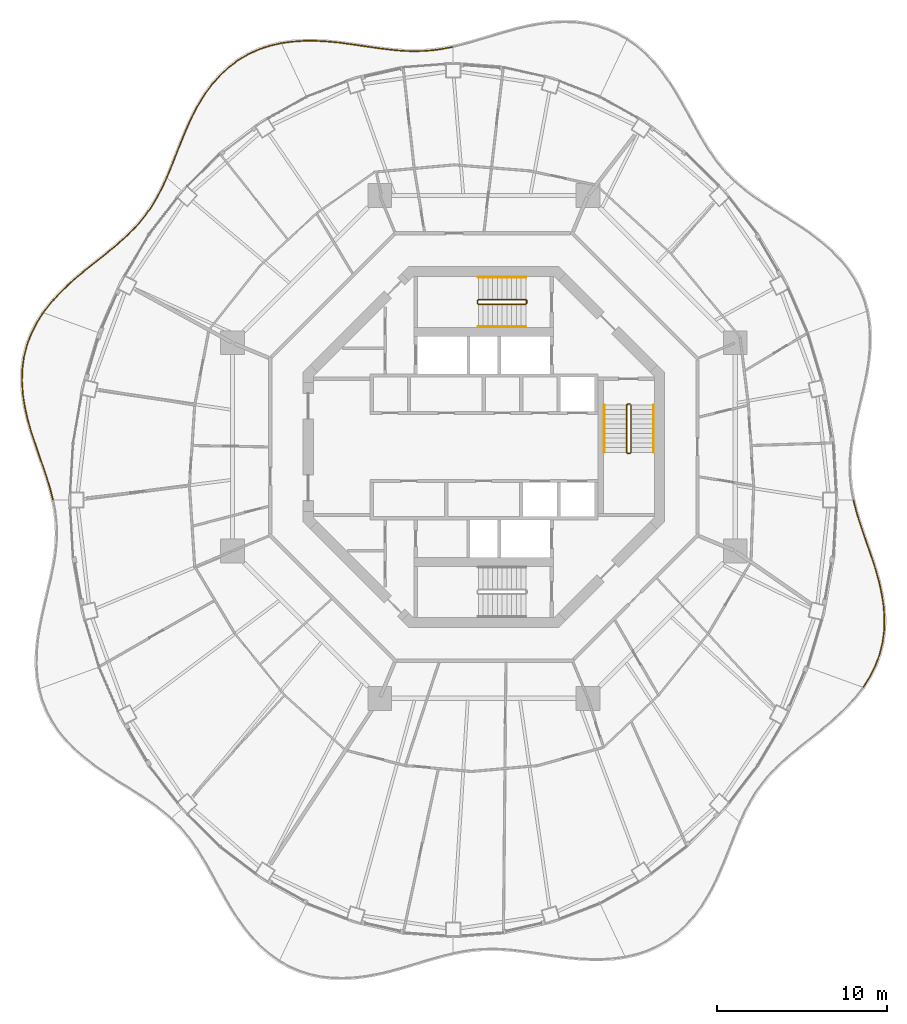
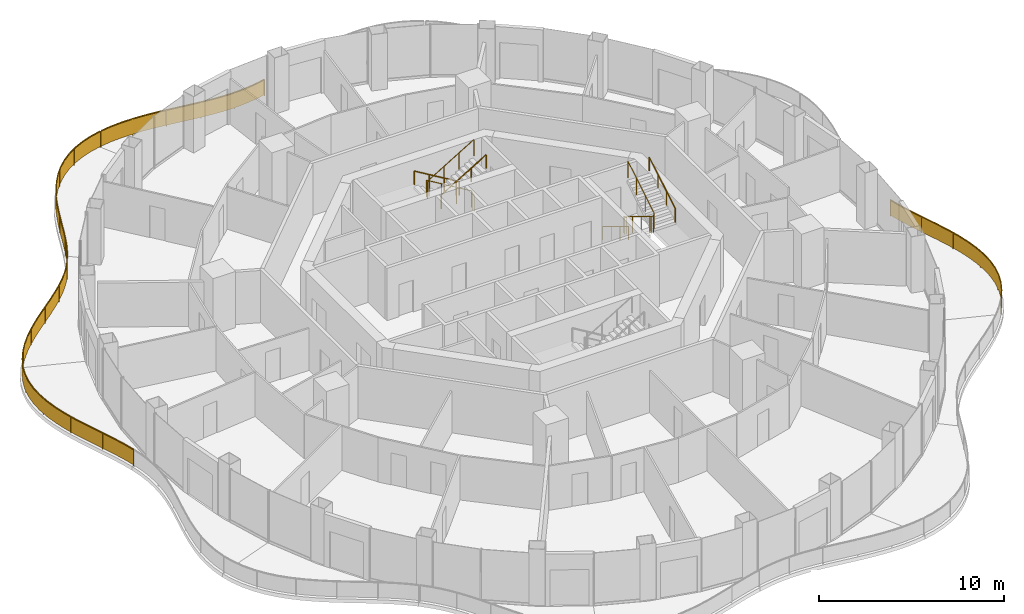
# One storey, part 16 of 17: 11 railings.
"""IFC4 building model written with IfcOpenShell, lengths in metres."""

from ifc_helpers import new_model, si_unit, direction, frame, origin, origin_2d, place, context, subcontext, project, spatial, polyline, rectangle, circle, outline, extrude, material, type_object, element, save


model = new_model("IFC4")

# Units and contexts
model_context = context("Model", 3, precision=1e-05, world=origin(), true_north=direction((0.0, 1.0)))
body_context = subcontext(model_context, "Body", "Model", "MODEL_VIEW")
ifc_project = project(units=[si_unit("LENGTHUNIT", "METRE"), si_unit("AREAUNIT", "SQUARE_METRE"), si_unit("VOLUMEUNIT", "CUBIC_METRE"), si_unit("PLANEANGLEUNIT", "RADIAN"), si_unit("MASSUNIT", "GRAM", prefix="KILO")], contexts=[model_context])

# Site, building, storey
site_placement = place(None, origin())
site = spatial("IfcSite", under=ifc_project, at=site_placement, CompositionType="ELEMENT")
building_placement = place(site_placement, origin())
building = spatial("IfcBuilding", under=site, at=building_placement, Name="Nagisa Residences", CompositionType="ELEMENT")
storey_placement = place(building_placement, frame((0.0, 0.0, 265.89990234375)))
storey = spatial("IfcBuildingStorey", under=building, at=storey_placement, Name="L67", CompositionType="ELEMENT", Elevation=265.89990234375)

# Railings
ifc_material_1 = material(Name="Stainless steel 316", Category="steel")
railing_type_1 = type_object("IfcRailingType", Name="BALCONY GUARD 1100", PredefinedType="BALUSTRADE", material=ifc_material_1)
railing_1_placement = place(storey_placement, frame((-1.834716796875, 23.520263671875, 0.0)))
element("IfcRailing", 1, at=railing_1_placement, inside=storey, type_object=railing_type_1, Name="guard:L67:bal04-0", PredefinedType="BALUSTRADE", context=body_context, shape_type="SweptSolid", body=[
    extrude(outline(polyline([(-0.537109375, -0.1318359375), (0.0048828125, -0.024658203125), (-0.0048828125, 0.024658203125), (-0.54541015625, -0.08251953125), (-1.125244140625, -0.1650390625), (-1.705078125, -0.213134765625), (-2.2890625, -0.226806640625), (-2.88037109375, -0.20849609375), (-3.465087890625, -0.15869140625), (-4.080322265625, -0.088134765625), (-4.710693359375, -0.00146484375), (-5.355712890625, 0.09375), (-6.015380859375, 0.188720703125), (-6.670654296875, 0.278564453125), (-7.3525390625, 0.34423828125), (-8.0400390625, 0.381103515625), (-8.728271484375, 0.381591796875), (-9.411865234375, 0.337158203125), (-10.037353515625, 0.250732421875), (-10.030517578125, 0.200927734375), (-9.406982421875, 0.287353515625), (-8.726806640625, 0.331298828125), (-8.04150390625, 0.331298828125), (-7.3564453125, 0.29443359375), (-6.676513671875, 0.228759765625), (-6.022216796875, 0.138916015625), (-5.363037109375, 0.04443359375), (-4.717529296875, -0.05078125), (-4.086669921875, -0.137939453125), (-3.469970703125, -0.20849609375), (-2.88330078125, -0.25830078125), (-2.2890625, -0.277099609375), (-1.70263671875, -0.262939453125), (-1.119873046875, -0.21484375), (-0.537109375, -0.1318359375)])), frame((0.0, 0.0, 1.050048828125)), (0.0, 0.0, 1.0), 0.050048828125),
    extrude(outline(polyline([(-0.5400390625, -0.114013671875), (0.00146484375, -0.0068359375), (-0.00146484375, 0.0068359375), (-0.54248046875, -0.100341796875), (-1.123291015625, -0.182861328125), (-1.704345703125, -0.23095703125), (-2.2890625, -0.244873046875), (-2.88134765625, -0.226318359375), (-3.466796875, -0.176513671875), (-4.08251953125, -0.106201171875), (-4.713134765625, -0.019287109375), (-5.3583984375, 0.075927734375), (-6.017822265625, 0.170654296875), (-6.6728515625, 0.260498046875), (-7.35400390625, 0.326416015625), (-8.04052734375, 0.36328125), (-8.727783203125, 0.363525390625), (-9.41015625, 0.3193359375), (-10.034912109375, 0.232666015625), (-10.032958984375, 0.218994140625), (-9.40869140625, 0.30517578125), (-8.727294921875, 0.349365234375), (-8.041015625, 0.34912109375), (-7.35498046875, 0.312255859375), (-6.67431640625, 0.246826171875), (-6.019775390625, 0.156982421875), (-5.3603515625, 0.062255859375), (-4.715087890625, -0.032958984375), (-4.08447265625, -0.119873046875), (-3.46826171875, -0.190673828125), (-2.88232421875, -0.240478515625), (-2.2890625, -0.259033203125), (-1.703369140625, -0.2451171875), (-1.121826171875, -0.197021484375), (-0.5400390625, -0.114013671875)])), frame((0.0, 0.0, 0.06005859375)), (0.0, 0.0, 1.0), 0.989990234375),
    extrude(rectangle(XDim=0.0400390625, YDim=0.0400390625, at=origin_2d()), origin(), (0.0, 0.0, 1.0), 1.050048828125),
    extrude(rectangle(XDim=0.0400390625, YDim=0.0400390625, at=origin_2d()), frame((-2.000732421875, -0.2451171875, 0.0)), (0.0, 0.0, 1.0), 1.050048828125),
    extrude(rectangle(XDim=0.0400390625, YDim=0.0400390625, at=origin_2d()), frame((-4.013916015625, -0.12109375, 0.0)), (0.0, 0.0, 1.0), 1.050048828125),
    extrude(rectangle(XDim=0.0400390625, YDim=0.0400390625, at=origin_2d()), frame((-6.01318359375, 0.1630859375, 0.0)), (0.0, 0.0, 1.0), 1.050048828125),
    extrude(rectangle(XDim=0.0400390625, YDim=0.0400390625, at=origin_2d()), frame((-8.02197265625, 0.355224609375, 0.0)), (0.0, 0.0, 1.0), 1.050048828125),
    extrude(rectangle(XDim=0.0400390625, YDim=0.0400390625, at=origin_2d()), frame((-10.033935546875, 0.225830078125, 0.0)), (0.0, 0.0, 1.0), 1.050048828125),
])
railing_2_placement = place(storey_placement, frame((-11.94482421875, 23.732666015625, 0.0)))
element("IfcRailing", 2, at=railing_2_placement, inside=storey, type_object=railing_type_1, Name="guard:L67:bal05-0", PredefinedType="BALUSTRADE", context=body_context, shape_type="SweptSolid", body=[
    extrude(outline(polyline([(-0.62646484375, -0.168701171875), (0.005615234375, -0.0244140625), (-0.005615234375, 0.0244140625), (-0.64013671875, -0.120361328125), (-1.29638671875, -0.341064453125), (-1.921875, -0.6259765625), (-2.51171875, -0.97509765625), (-3.058837890625, -1.383544921875), (-3.55419921875, -1.842529296875), (-4.0166015625, -2.359619140625), (-4.43505859375, -2.919921875), (-4.81201171875, -3.514892578125), (-5.150634765625, -4.135498046875), (-5.444091796875, -4.76171875), (-5.72314453125, -5.40576171875), (-5.982421875, -6.049072265625), (-6.23046875, -6.68310546875), (-6.475830078125, -7.302001953125), (-6.7080078125, -7.860595703125), (-6.66162109375, -7.879638671875), (-6.429443359375, -7.321044921875), (-6.18408203125, -6.70166015625), (-5.93603515625, -6.067626953125), (-5.6767578125, -5.42529296875), (-5.398681640625, -4.7822265625), (-5.106201171875, -4.157958984375), (-4.76904296875, -3.540283203125), (-4.39404296875, -2.9482421875), (-3.97802734375, -2.391357421875), (-3.5185546875, -1.877685546875), (-3.026611328125, -1.422119140625), (-2.48388671875, -1.0166015625), (-1.89892578125, -0.67041015625), (-1.27783203125, -0.387451171875), (-0.62646484375, -0.168701171875)])), frame((0.0, 0.0, 1.050048828125)), (0.0, 0.0, 1.0), 0.050048828125),
    extrude(outline(polyline([(-0.63134765625, -0.1513671875), (0.00146484375, -0.0068359375), (-0.00146484375, 0.0068359375), (-0.63525390625, -0.1376953125), (-1.289794921875, -0.357666015625), (-1.91357421875, -0.64208984375), (-2.501708984375, -0.989990234375), (-3.047119140625, -1.3974609375), (-3.541259765625, -1.855224609375), (-4.002685546875, -2.37109375), (-4.42041015625, -2.93017578125), (-4.796630859375, -3.52392578125), (-5.134765625, -4.1435546875), (-5.427734375, -4.76904296875), (-5.706298828125, -5.412841796875), (-5.9658203125, -6.0556640625), (-6.2138671875, -6.689697265625), (-6.459228515625, -7.308837890625), (-6.691162109375, -7.867431640625), (-6.678466796875, -7.872802734375), (-6.446044921875, -7.314208984375), (-6.20068359375, -6.695068359375), (-5.95263671875, -6.06103515625), (-5.693603515625, -5.418212890625), (-5.4150390625, -4.77490234375), (-5.1220703125, -4.14990234375), (-4.784423828125, -3.53125), (-4.40869140625, -2.93798828125), (-3.991943359375, -2.3798828125), (-3.531494140625, -1.864990234375), (-3.038330078125, -1.408203125), (-2.493896484375, -1.001708984375), (-1.9072265625, -0.654296875), (-1.284423828125, -0.370849609375), (-0.63134765625, -0.1513671875)])), frame((0.0, 0.0, 0.06005859375)), (0.0, 0.0, 1.0), 0.989990234375),
    extrude(rectangle(XDim=0.0400390625, YDim=0.0400390625, at=origin_2d()), origin(), (0.0, 0.0, 1.0), 1.050048828125),
    extrude(rectangle(XDim=0.0400390625, YDim=0.0400390625, at=origin_2d()), frame((-2.043212890625, -0.726806640625, 0.0)), (0.0, 0.0, 1.0), 1.050048828125),
    extrude(rectangle(XDim=0.0400390625, YDim=0.0400390625, at=origin_2d()), frame((-3.734619140625, -2.081787109375, 0.0)), (0.0, 0.0, 1.0), 1.050048828125),
    extrude(rectangle(XDim=0.0400390625, YDim=0.0400390625, at=origin_2d()), frame((-4.974853515625, -3.865234375, 0.0)), (0.0, 0.0, 1.0), 1.050048828125),
    extrude(rectangle(XDim=0.0400390625, YDim=0.0400390625, at=origin_2d()), frame((-5.874267578125, -5.847900390625, 0.0)), (0.0, 0.0, 1.0), 1.050048828125),
    extrude(rectangle(XDim=0.0400390625, YDim=0.0400390625, at=origin_2d()), frame((-6.684814453125, -7.8701171875, 0.0)), (0.0, 0.0, 1.0), 1.050048828125),
])
railing_3_placement = place(storey_placement, frame((-18.656982421875, 15.794921875, 0.0)))
element("IfcRailing", 3, at=railing_3_placement, inside=storey, type_object=railing_type_1, Name="guard:L67:bal06-0", PredefinedType="BALUSTRADE", context=body_context, shape_type="SweptSolid", body=[
    extrude(outline(polyline([(-0.2353515625, -0.57373046875), (0.022705078125, -0.010498046875), (-0.022705078125, 0.010498046875), (-0.2802734375, -0.5517578125), (-0.579345703125, -1.123291015625), (-0.90771484375, -1.66455078125), (-1.269775390625, -2.17724609375), (-1.669189453125, -2.6640625), (-2.097900390625, -3.1171875), (-2.571533203125, -3.566650390625), (-3.07763671875, -4.00634765625), (-3.6103515625, -4.442626953125), (-4.162109375, -4.882568359375), (-4.716064453125, -5.319091796875), (-5.275146484375, -5.784912109375), (-5.821044921875, -6.271484375), (-6.34228515625, -6.78271484375), (-6.827392578125, -7.321533203125), (-7.23828125, -7.851318359375), (-7.19873046875, -7.882080078125), (-6.788818359375, -7.353759765625), (-6.30615234375, -6.8173828125), (-5.786865234375, -6.30810546875), (-5.242431640625, -5.822998046875), (-4.684326171875, -5.358154296875), (-4.130859375, -4.921630859375), (-3.5791015625, -4.481689453125), (-3.04541015625, -4.04443359375), (-2.537841796875, -3.603759765625), (-2.062255859375, -3.15234375), (-1.631591796875, -2.697265625), (-1.229736328125, -2.20751953125), (-0.86572265625, -1.69189453125), (-0.535888671875, -1.147705078125), (-0.2353515625, -0.57373046875)])), frame((0.0, 0.0, 1.050048828125)), (0.0, 0.0, 1.0), 0.050048828125),
    extrude(outline(polyline([(-0.25146484375, -0.56591796875), (0.00634765625, -0.0029296875), (-0.00634765625, 0.0029296875), (-0.26416015625, -0.5595703125), (-0.563720703125, -1.132080078125), (-0.892578125, -1.67431640625), (-1.25537109375, -2.188232421875), (-1.65576171875, -2.676025390625), (-2.0849609375, -3.1298828125), (-2.559326171875, -3.580078125), (-3.06591796875, -4.02001953125), (-3.59912109375, -4.456787109375), (-4.15087890625, -4.896728515625), (-4.70458984375, -5.333251953125), (-5.263427734375, -5.798583984375), (-5.808837890625, -6.28466796875), (-6.329345703125, -6.795166015625), (-6.8134765625, -7.333251953125), (-7.22412109375, -7.8623046875), (-7.212890625, -7.87109375), (-6.802734375, -7.342041015625), (-6.319091796875, -6.804931640625), (-5.799072265625, -6.294921875), (-5.254150390625, -5.809326171875), (-4.69580078125, -5.343994140625), (-4.14208984375, -4.907470703125), (-3.59033203125, -4.467529296875), (-3.05712890625, -4.03076171875), (-2.550048828125, -3.59033203125), (-2.0751953125, -3.1396484375), (-1.64501953125, -2.685302734375), (-1.244140625, -2.196533203125), (-0.880859375, -1.68212890625), (-0.551513671875, -1.138916015625), (-0.25146484375, -0.56591796875)])), frame((0.0, 0.0, 0.06005859375)), (0.0, 0.0, 1.0), 0.989990234375),
    extrude(rectangle(XDim=0.0400390625, YDim=0.0400390625, at=origin_2d()), origin(), (0.0, 0.0, 1.0), 1.050048828125),
    extrude(rectangle(XDim=0.0400390625, YDim=0.0400390625, at=origin_2d()), frame((-1.03564453125, -1.888916015625, 0.0)), (0.0, 0.0, 1.0), 1.050048828125),
    extrude(rectangle(XDim=0.0400390625, YDim=0.0400390625, at=origin_2d()), frame((-2.464599609375, -3.49951171875, 0.0)), (0.0, 0.0, 1.0), 1.050048828125),
    extrude(rectangle(XDim=0.0400390625, YDim=0.0400390625, at=origin_2d()), frame((-4.12109375, -4.8818359375, 0.0)), (0.0, 0.0, 1.0), 1.050048828125),
    extrude(rectangle(XDim=0.0400390625, YDim=0.0400390625, at=origin_2d()), frame((-5.776611328125, -6.265380859375, 0.0)), (0.0, 0.0, 1.0), 1.050048828125),
    extrude(rectangle(XDim=0.0400390625, YDim=0.0400390625, at=origin_2d()), frame((-7.218505859375, -7.86669921875, 0.0)), (0.0, 0.0, 1.0), 1.050048828125),
])
railing_4_placement = place(storey_placement, frame((-25.920654296875, 7.865478515625, 0.0)))
element("IfcRailing", 4, at=railing_4_placement, inside=storey, type_object=railing_type_1, Name="guard:L67:bal07-0", PredefinedType="BALUSTRADE", context=body_context, shape_type="SweptSolid", body=[
    extrude(outline(polyline([(-0.346923828125, -0.58740234375), (0.02099609375, -0.013427734375), (-0.02099609375, 0.013427734375), (-0.390380859375, -0.5625), (-0.7158203125, -1.2080078125), (-0.96728515625, -1.8798828125), (-1.1416015625, -2.57470703125), (-1.238037109375, -3.286865234375), (-1.256591796875, -3.99853515625), (-1.208251953125, -4.73046875), (-1.098388671875, -5.46435546875), (-0.9365234375, -6.1953125), (-0.7353515625, -6.9189453125), (-0.505615234375, -7.61865234375), (-0.2646484375, -8.3193359375), (-0.024169921875, -9.006591796875), (0.20263671875, -9.6806640625), (0.404052734375, -10.343017578125), (0.56103515625, -10.955078125), (0.609375, -10.94287109375), (0.452392578125, -10.329345703125), (0.25048828125, -9.66552734375), (0.023193359375, -8.990478515625), (-0.21728515625, -8.302734375), (-0.458251953125, -7.6025390625), (-0.6875, -6.904296875), (-0.88818359375, -6.18310546875), (-1.049072265625, -5.455078125), (-1.158447265625, -4.72509765625), (-1.206298828125, -3.99755859375), (-1.188232421875, -3.290771484375), (-1.09228515625, -2.583984375), (-0.91943359375, -1.89501953125), (-0.669921875, -1.22802734375), (-0.346923828125, -0.58740234375)])), frame((0.0, 0.0, 1.050048828125)), (0.0, 0.0, 1.0), 0.050048828125),
    extrude(outline(polyline([(-0.362548828125, -0.578369140625), (0.005859375, -0.003662109375), (-0.005859375, 0.003662109375), (-0.374755859375, -0.571533203125), (-0.69921875, -1.215087890625), (-0.949951171875, -1.88525390625), (-1.123779296875, -2.578125), (-1.22021484375, -3.288330078125), (-1.238525390625, -3.998291015625), (-1.1904296875, -4.728515625), (-1.08056640625, -5.4609375), (-0.919189453125, -6.19091796875), (-0.718017578125, -6.91357421875), (-0.488525390625, -7.61279296875), (-0.24755859375, -8.313232421875), (-0.007080078125, -9.000732421875), (0.219970703125, -9.67529296875), (0.42138671875, -10.338134765625), (0.578369140625, -10.95068359375), (0.592041015625, -10.947265625), (0.43505859375, -10.334228515625), (0.233154296875, -9.6708984375), (0.006103515625, -8.996337890625), (-0.234375, -8.308837890625), (-0.475341796875, -7.6083984375), (-0.704833984375, -6.90966796875), (-0.905517578125, -6.1875), (-1.06689453125, -5.45849609375), (-1.17626953125, -4.72705078125), (-1.224365234375, -3.997802734375), (-1.2060546875, -3.289306640625), (-1.110107421875, -2.58056640625), (-0.936767578125, -1.8896484375), (-0.6865234375, -1.220947265625), (-0.362548828125, -0.578369140625)])), frame((0.0, 0.0, 0.06005859375)), (0.0, 0.0, 1.0), 0.989990234375),
    extrude(rectangle(XDim=0.0400390625, YDim=0.0400390625, at=origin_2d()), origin(), (0.0, 0.0, 1.0), 1.050048828125),
    extrude(rectangle(XDim=0.0400390625, YDim=0.0400390625, at=origin_2d()), frame((-0.986083984375, -2.0576171875, 0.0)), (0.0, 0.0, 1.0), 1.050048828125),
    extrude(rectangle(XDim=0.0400390625, YDim=0.0400390625, at=origin_2d()), frame((-1.209716796875, -4.32763671875, 0.0)), (0.0, 0.0, 1.0), 1.050048828125),
    extrude(rectangle(XDim=0.0400390625, YDim=0.0400390625, at=origin_2d()), frame((-0.8037109375, -6.57958984375, 0.0)), (0.0, 0.0, 1.0), 1.050048828125),
    extrude(rectangle(XDim=0.0400390625, YDim=0.0400390625, at=origin_2d()), frame((-0.0849609375, -8.7568359375, 0.0)), (0.0, 0.0, 1.0), 1.050048828125),
    extrude(rectangle(XDim=0.0400390625, YDim=0.0400390625, at=origin_2d()), frame((0.585205078125, -10.948974609375, 0.0)), (0.0, 0.0, 1.0), 1.050048828125),
])
railing_5_placement = place(storey_placement, frame((22.320556640625, -14.100830078125, 0.0)))
element("IfcRailing", 5, at=railing_5_placement, inside=storey, type_object=railing_type_1, Name="guard:L67:bal15-0", PredefinedType="BALUSTRADE", context=body_context, shape_type="SweptSolid", body=[
    extrude(outline(polyline([(0.34716796875, 0.58740234375), (-0.02099609375, 0.013427734375), (0.02099609375, -0.013427734375), (0.390625, 0.5625), (0.716064453125, 1.2080078125), (0.967529296875, 1.8798828125), (1.141845703125, 2.57470703125), (1.23828125, 3.286865234375), (1.256591796875, 3.998291015625), (1.20849609375, 4.73046875), (1.098388671875, 5.46435546875), (0.936767578125, 6.195068359375), (0.7353515625, 6.9189453125), (0.505615234375, 7.618408203125), (0.2646484375, 8.3193359375), (0.024169921875, 9.006591796875), (-0.202392578125, 9.6806640625), (-0.404052734375, 10.343017578125), (-0.560791015625, 10.955078125), (-0.609130859375, 10.94287109375), (-0.452392578125, 10.329345703125), (-0.250244140625, 9.66552734375), (-0.023193359375, 8.990478515625), (0.21728515625, 8.302734375), (0.458251953125, 7.602294921875), (0.6875, 6.904296875), (0.888427734375, 6.182861328125), (1.049072265625, 5.455078125), (1.15869140625, 4.72509765625), (1.206298828125, 3.997314453125), (1.1884765625, 3.290771484375), (1.092529296875, 2.583984375), (0.919677734375, 1.89501953125), (0.670166015625, 1.22802734375), (0.34716796875, 0.58740234375)])), frame((0.0, 0.0, 1.050048828125)), (0.0, 0.0, 1.0), 0.050048828125),
    extrude(outline(polyline([(0.36279296875, 0.578369140625), (-0.005859375, 0.003662109375), (0.005859375, -0.003662109375), (0.375, 0.571533203125), (0.699462890625, 1.215087890625), (0.9501953125, 1.88525390625), (1.1240234375, 2.578125), (1.220458984375, 3.288330078125), (1.238525390625, 3.998046875), (1.190673828125, 4.728515625), (1.08056640625, 5.4609375), (0.91943359375, 6.190673828125), (0.718017578125, 6.91357421875), (0.488525390625, 7.612548828125), (0.24755859375, 8.313232421875), (0.007080078125, 9.000732421875), (-0.2197265625, 9.67529296875), (-0.42138671875, 10.338134765625), (-0.578125, 10.95068359375), (-0.591796875, 10.947265625), (-0.43505859375, 10.334228515625), (-0.23291015625, 9.6708984375), (-0.006103515625, 8.996337890625), (0.234375, 8.308837890625), (0.475341796875, 7.608154296875), (0.704833984375, 6.90966796875), (0.90576171875, 6.187255859375), (1.06689453125, 5.45849609375), (1.176513671875, 4.72705078125), (1.224365234375, 3.99755859375), (1.206298828125, 3.289306640625), (1.1103515625, 2.58056640625), (0.93701171875, 1.8896484375), (0.686767578125, 1.220947265625), (0.36279296875, 0.578369140625)])), frame((0.0, 0.0, 0.06005859375)), (0.0, 0.0, 1.0), 0.989990234375),
    extrude(rectangle(XDim=0.0400390625, YDim=0.0400390625, at=origin_2d()), origin(), (0.0, 0.0, 1.0), 1.050048828125),
    extrude(rectangle(XDim=0.0400390625, YDim=0.0400390625, at=origin_2d()), frame((0.986328125, 2.0576171875, 0.0)), (0.0, 0.0, 1.0), 1.050048828125),
    extrude(rectangle(XDim=0.0400390625, YDim=0.0400390625, at=origin_2d()), frame((1.209716796875, 4.327392578125, 0.0)), (0.0, 0.0, 1.0), 1.050048828125),
    extrude(rectangle(XDim=0.0400390625, YDim=0.0400390625, at=origin_2d()), frame((0.803955078125, 6.579345703125, 0.0)), (0.0, 0.0, 1.0), 1.050048828125),
    extrude(rectangle(XDim=0.0400390625, YDim=0.0400390625, at=origin_2d()), frame((0.0849609375, 8.7568359375, 0.0)), (0.0, 0.0, 1.0), 1.050048828125),
    extrude(rectangle(XDim=0.0400390625, YDim=0.0400390625, at=origin_2d()), frame((-0.5849609375, 10.948974609375, 0.0)), (0.0, 0.0, 1.0), 1.050048828125),
])
ifc_material_2 = material(Name="Stainless steel", Category="steel")
railing_type_2 = type_object("IfcRailingType", Name="Stair guard 1100", PredefinedType="GUARDRAIL", material=ifc_material_2)
railing_6_placement = place(storey_placement, frame((8.599609375, 2.52490234375, 0.0)))
element("IfcRailing", 6, at=railing_6_placement, inside=storey, type_object=railing_type_2, Name="L67 ST-E stair guard 1", PredefinedType="GUARDRAIL", context=body_context, shape_type="SweptSolid", body=[
    extrude(circle(Radius=0.02392578125, at=origin_2d()), frame((0.0, 0.0, 1.076171875), z_axis=(-1.0, 0.0, 0.0), x_axis=(0.0, -1.0, 0.0)), (0.0, 0.0, 1.0), 0.14990234375),
    extrude(circle(Radius=0.02392578125, at=origin_2d()), frame((-0.14990234375, 0.0, 1.076171875), z_axis=(-0.27434429532, -0.273006030465, 0.922064485248), x_axis=(0.705375805398, -0.708833529934, 0.0)), (0.0, 0.0, 1.0), 0.182373046875),
    extrude(circle(Radius=0.02392578125, at=origin_2d()), frame((-0.199951171875, -0.0498046875, 1.244140625), z_axis=(0.0, -0.857242210791, 0.514913383045), x_axis=(1.0, 0.0, 0.0)), (0.0, 0.0, 1.0), 3.266357421875),
    extrude(circle(Radius=0.02392578125, at=origin_2d()), frame((-0.199951171875, -2.849853515625, 2.92626953125), z_axis=(0.707106781187, -0.707106781187, 0.0), x_axis=(0.707106781187, 0.707106781187, 0.0)), (0.0, 0.0, 1.0), 0.07080078125),
    extrude(circle(Radius=0.02392578125, at=origin_2d()), frame((-0.14990234375, -2.89990234375, 2.92626953125), z_axis=(1.0, 0.0, 0.0), x_axis=(0.0, 1.0, 0.0)), (0.0, 0.0, 1.0), 0.14990234375),
    extrude(circle(Radius=0.02392578125, at=origin_2d()), frame((0.0, -2.89990234375, 2.92626953125), z_axis=(0.274243871929, 0.274243871929, 0.92172696468), x_axis=(-0.707106781187, 0.707106781187, 0.0)), (0.0, 0.0, 1.0), 0.1826171875),
    extrude(circle(Radius=0.02392578125, at=origin_2d()), frame((0.050048828125, -2.849853515625, 3.09423828125), z_axis=(0.0, 0.857242210791, 0.514913383045), x_axis=(-1.0, 0.0, 0.0)), (0.0, 0.0, 1.0), 3.266357421875),
    extrude(circle(Radius=0.02099609375, at=origin_2d()), origin(), (0.0, 0.0, 1.0), 1.052001953125),
    extrude(circle(Radius=0.02099609375, at=origin_2d()), frame((-0.14990234375, 0.0, 0.0)), (0.0, 0.0, 1.0), 1.052001953125),
    extrude(circle(Radius=0.02099609375, at=origin_2d()), frame((-0.199951171875, -0.0498046875, 0.168212890625)), (0.0, 0.0, 1.0), 1.052001953125),
    extrude(circle(Radius=0.02099609375, at=origin_2d()), frame((-0.199951171875, -0.983154296875, 0.728759765625)), (0.0, 0.0, 1.0), 1.052001953125),
    extrude(circle(Radius=0.02099609375, at=origin_2d()), frame((-0.199951171875, -1.91650390625, 1.28955078125)), (0.0, 0.0, 1.0), 1.052001953125),
    extrude(circle(Radius=0.02099609375, at=origin_2d()), frame((-0.199951171875, -2.849853515625, 1.85009765625)), (0.0, 0.0, 1.0), 1.052001953125),
    extrude(circle(Radius=0.02099609375, at=origin_2d()), frame((-0.14990234375, -2.89990234375, 1.85009765625)), (0.0, 0.0, 1.0), 1.052001953125),
    extrude(circle(Radius=0.02099609375, at=origin_2d()), frame((0.0, -2.89990234375, 1.85009765625)), (0.0, 0.0, 1.0), 1.052001953125),
    extrude(circle(Radius=0.02099609375, at=origin_2d()), frame((0.050048828125, -2.849853515625, 2.018310546875)), (0.0, 0.0, 1.0), 1.052001953125),
    extrude(circle(Radius=0.02099609375, at=origin_2d()), frame((0.050048828125, -1.91650390625, 2.578857421875)), (0.0, 0.0, 1.0), 1.052001953125),
    extrude(circle(Radius=0.02099609375, at=origin_2d()), frame((0.050048828125, -0.983154296875, 3.1396484375)), (0.0, 0.0, 1.0), 1.052001953125),
    extrude(circle(Radius=0.02099609375, at=origin_2d()), frame((0.050048828125, -0.0498046875, 3.7001953125)), (0.0, 0.0, 1.0), 1.052001953125),
])
railing_7_placement = place(storey_placement, frame((2.52490234375, 8.44970703125, 0.0)))
element("IfcRailing", 7, at=railing_7_placement, inside=storey, type_object=railing_type_2, Name="L67 ST-N stair guard 1", PredefinedType="GUARDRAIL", context=body_context, shape_type="SweptSolid", body=[
    extrude(circle(Radius=0.02392578125, at=origin_2d()), frame((0.0, 0.0, 1.076171875), z_axis=(0.0, 1.0, 0.0), x_axis=(-1.0, 0.0, 0.0)), (0.0, 0.0, 1.0), 0.14990234375),
    extrude(circle(Radius=0.02392578125, at=origin_2d()), frame((0.0, 0.14990234375, 1.076171875), z_axis=(-0.273006030465, 0.27434429532, 0.922064485248), x_axis=(-0.708833529934, -0.705375805398, 0.0)), (0.0, 0.0, 1.0), 0.182373046875),
    extrude(circle(Radius=0.02392578125, at=origin_2d()), frame((-0.0498046875, 0.199951171875, 1.244140625), z_axis=(-0.857242210791, 0.0, 0.514913383045), x_axis=(0.0, -1.0, 0.0)), (0.0, 0.0, 1.0), 3.266357421875),
    extrude(circle(Radius=0.02392578125, at=origin_2d()), frame((-2.849853515625, 0.199951171875, 2.92626953125), z_axis=(-0.707106781187, -0.707106781187, 0.0), x_axis=(0.707106781187, -0.707106781187, 0.0)), (0.0, 0.0, 1.0), 0.07080078125),
    extrude(circle(Radius=0.02392578125, at=origin_2d()), frame((-2.89990234375, 0.14990234375, 2.92626953125), z_axis=(0.0, -1.0, 0.0), x_axis=(1.0, 0.0, 0.0)), (0.0, 0.0, 1.0), 0.14990234375),
    extrude(circle(Radius=0.02392578125, at=origin_2d()), frame((-2.89990234375, 0.0, 2.92626953125), z_axis=(0.274243871929, -0.274243871929, 0.92172696468), x_axis=(0.707106781187, 0.707106781187, 0.0)), (0.0, 0.0, 1.0), 0.1826171875),
    extrude(circle(Radius=0.02392578125, at=origin_2d()), frame((-2.849853515625, -0.050048828125, 3.09423828125), z_axis=(0.857242210791, 0.0, 0.514913383045), x_axis=(0.0, 1.0, 0.0)), (0.0, 0.0, 1.0), 3.266357421875),
    extrude(circle(Radius=0.02099609375, at=origin_2d()), origin(), (0.0, 0.0, 1.0), 1.052001953125),
    extrude(circle(Radius=0.02099609375, at=origin_2d()), frame((0.0, 0.14990234375, 0.0)), (0.0, 0.0, 1.0), 1.052001953125),
    extrude(circle(Radius=0.02099609375, at=origin_2d()), frame((-0.0498046875, 0.199951171875, 0.168212890625)), (0.0, 0.0, 1.0), 1.052001953125),
    extrude(circle(Radius=0.02099609375, at=origin_2d()), frame((-0.983154296875, 0.199951171875, 0.728759765625)), (0.0, 0.0, 1.0), 1.052001953125),
    extrude(circle(Radius=0.02099609375, at=origin_2d()), frame((-1.91650390625, 0.199951171875, 1.28955078125)), (0.0, 0.0, 1.0), 1.052001953125),
    extrude(circle(Radius=0.02099609375, at=origin_2d()), frame((-2.849853515625, 0.199951171875, 1.85009765625)), (0.0, 0.0, 1.0), 1.052001953125),
    extrude(circle(Radius=0.02099609375, at=origin_2d()), frame((-2.89990234375, 0.14990234375, 1.85009765625)), (0.0, 0.0, 1.0), 1.052001953125),
    extrude(circle(Radius=0.02099609375, at=origin_2d()), frame((-2.89990234375, 0.0, 1.85009765625)), (0.0, 0.0, 1.0), 1.052001953125),
    extrude(circle(Radius=0.02099609375, at=origin_2d()), frame((-2.849853515625, -0.050048828125, 2.018310546875)), (0.0, 0.0, 1.0), 1.052001953125),
    extrude(circle(Radius=0.02099609375, at=origin_2d()), frame((-1.91650390625, -0.050048828125, 2.578857421875)), (0.0, 0.0, 1.0), 1.052001953125),
    extrude(circle(Radius=0.02099609375, at=origin_2d()), frame((-0.983154296875, -0.050048828125, 3.1396484375)), (0.0, 0.0, 1.0), 1.052001953125),
    extrude(circle(Radius=0.02099609375, at=origin_2d()), frame((-0.0498046875, -0.050048828125, 3.7001953125)), (0.0, 0.0, 1.0), 1.052001953125),
])
ifc_material_3 = material(Name="Stainless steel", Category="steel")
railing_type_3 = type_object("IfcRailingType", Name="Stair handrail 900", PredefinedType="HANDRAIL", material=ifc_material_3)
railing_8_placement = place(storey_placement, frame((7.07470703125, 2.47509765625, 0.168212890625)))
element("IfcRailing", 8, at=railing_8_placement, inside=storey, type_object=railing_type_3, Name="L67 ST-E stair handrail 1", PredefinedType="HANDRAIL", context=body_context, shape_type="SweptSolid", body=[
    extrude(circle(Radius=0.02392578125, at=origin_2d()), frame((0.0, 0.0, 0.8759765625), z_axis=(0.0, -0.857242210791, 0.514913383045), x_axis=(1.0, 0.0, 0.0)), (0.0, 0.0, 1.0), 3.266357421875),
    extrude(circle(Radius=0.02099609375, at=origin_2d()), origin(), (0.0, 0.0, 1.0), 0.851806640625),
    extrude(circle(Radius=0.02099609375, at=origin_2d()), frame((0.0, -0.933349609375, 0.560546875)), (0.0, 0.0, 1.0), 0.851806640625),
    extrude(circle(Radius=0.02099609375, at=origin_2d()), frame((0.0, -1.86669921875, 1.121337890625)), (0.0, 0.0, 1.0), 0.851806640625),
    extrude(circle(Radius=0.02099609375, at=origin_2d()), frame((0.0, -2.800048828125, 1.681884765625)), (0.0, 0.0, 1.0), 0.851806640625),
])
railing_9_placement = place(storey_placement, frame((9.974609375, -0.324951171875, 2.018310546875)))
element("IfcRailing", 9, at=railing_9_placement, inside=storey, type_object=railing_type_3, Name="L67 ST-E stair handrail 2", PredefinedType="HANDRAIL", context=body_context, shape_type="SweptSolid", body=[
    extrude(circle(Radius=0.02392578125, at=origin_2d()), frame((0.0, 0.0, 0.8759765625), z_axis=(0.0, 0.857242210791, 0.514913383045), x_axis=(-1.0, 0.0, 0.0)), (0.0, 0.0, 1.0), 3.266357421875),
    extrude(circle(Radius=0.02099609375, at=origin_2d()), origin(), (0.0, 0.0, 1.0), 0.851806640625),
    extrude(circle(Radius=0.02099609375, at=origin_2d()), frame((0.0, 0.933349609375, 0.560546875)), (0.0, 0.0, 1.0), 0.851806640625),
    extrude(circle(Radius=0.02099609375, at=origin_2d()), frame((0.0, 1.86669921875, 1.121337890625)), (0.0, 0.0, 1.0), 0.851806640625),
    extrude(circle(Radius=0.02099609375, at=origin_2d()), frame((0.0, 2.800048828125, 1.681884765625)), (0.0, 0.0, 1.0), 0.851806640625),
])
railing_10_placement = place(storey_placement, frame((2.47509765625, 9.974609375, 0.168212890625)))
element("IfcRailing", 10, at=railing_10_placement, inside=storey, type_object=railing_type_3, Name="L67 ST-N stair handrail 1", PredefinedType="HANDRAIL", context=body_context, shape_type="SweptSolid", body=[
    extrude(circle(Radius=0.02392578125, at=origin_2d()), frame((0.0, 0.0, 0.8759765625), z_axis=(-0.857242210791, 0.0, 0.514913383045), x_axis=(0.0, -1.0, 0.0)), (0.0, 0.0, 1.0), 3.266357421875),
    extrude(circle(Radius=0.02099609375, at=origin_2d()), origin(), (0.0, 0.0, 1.0), 0.851806640625),
    extrude(circle(Radius=0.02099609375, at=origin_2d()), frame((-0.933349609375, 0.0, 0.560546875)), (0.0, 0.0, 1.0), 0.851806640625),
    extrude(circle(Radius=0.02099609375, at=origin_2d()), frame((-1.86669921875, 0.0, 1.121337890625)), (0.0, 0.0, 1.0), 0.851806640625),
    extrude(circle(Radius=0.02099609375, at=origin_2d()), frame((-2.800048828125, 0.0, 1.681884765625)), (0.0, 0.0, 1.0), 0.851806640625),
])
railing_11_placement = place(storey_placement, frame((-0.324951171875, 7.07470703125, 2.018310546875)))
element("IfcRailing", 11, at=railing_11_placement, inside=storey, type_object=railing_type_3, Name="L67 ST-N stair handrail 2", PredefinedType="HANDRAIL", context=body_context, shape_type="SweptSolid", body=[
    extrude(circle(Radius=0.02392578125, at=origin_2d()), frame((0.0, 0.0, 0.8759765625), z_axis=(0.857242210791, 0.0, 0.514913383045), x_axis=(0.0, 1.0, 0.0)), (0.0, 0.0, 1.0), 3.266357421875),
    extrude(circle(Radius=0.02099609375, at=origin_2d()), origin(), (0.0, 0.0, 1.0), 0.851806640625),
    extrude(circle(Radius=0.02099609375, at=origin_2d()), frame((0.933349609375, 0.0, 0.560546875)), (0.0, 0.0, 1.0), 0.851806640625),
    extrude(circle(Radius=0.02099609375, at=origin_2d()), frame((1.86669921875, 0.0, 1.121337890625)), (0.0, 0.0, 1.0), 0.851806640625),
    extrude(circle(Radius=0.02099609375, at=origin_2d()), frame((2.800048828125, 0.0, 1.681884765625)), (0.0, 0.0, 1.0), 0.851806640625),
])

save(model, "model.ifc")
